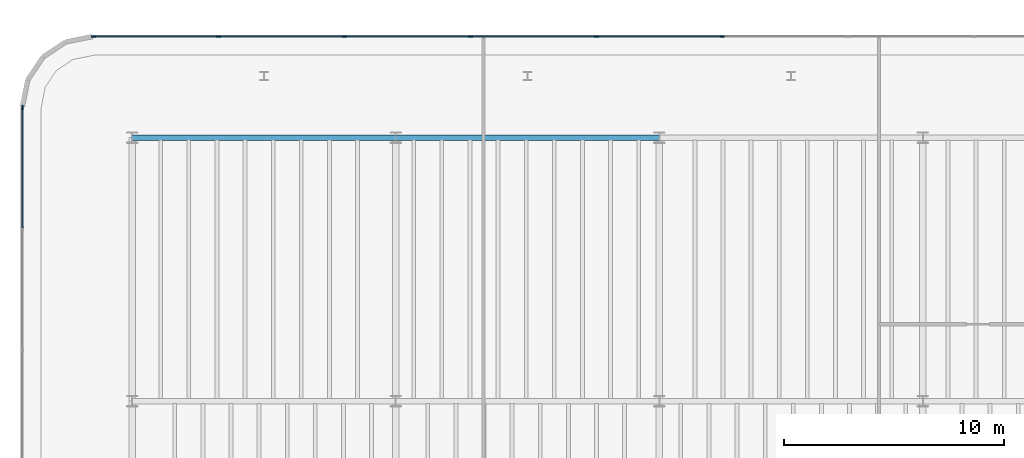
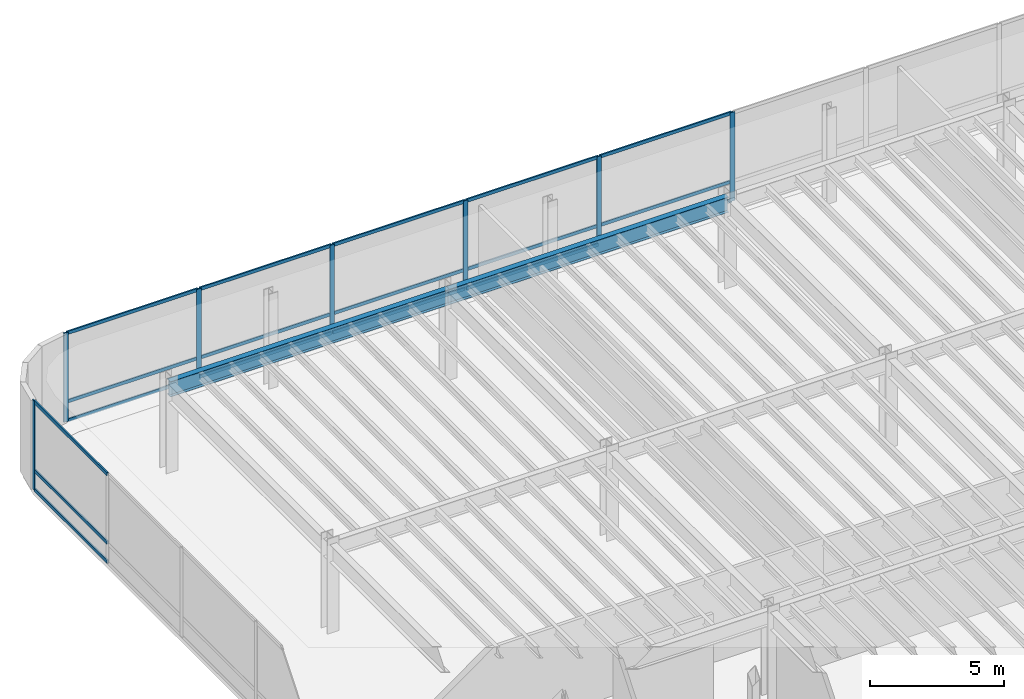
# One storey, part 9 of 19: 25 members, 2 beams, 2 elements without a shape of their own.
"""IFC4 building model written with IfcOpenShell, lengths in metres."""

from ifc_helpers import new_model, si_unit, direction, frame, origin, origin_2d, place, context, subcontext, project, spatial, rectangle, i_section, extrude, source, transform, mapped, material, layer, layer_set, material_profile, profile_set, type_object, element, aggregate, save


model = new_model("IFC4")

# Units and contexts
model_context = context("Model", 3, precision=1e-05, world=origin(), true_north=direction((0.0, 1.0)))
body_context = subcontext(model_context, "Body", "Model", "MODEL_VIEW")
ifc_project = project(units=[si_unit("LENGTHUNIT", "METRE"), si_unit("AREAUNIT", "SQUARE_METRE"), si_unit("VOLUMEUNIT", "CUBIC_METRE"), si_unit("PLANEANGLEUNIT", "RADIAN"), si_unit("MASSUNIT", "GRAM", prefix="KILO")], contexts=[model_context])

# Site, building, storey
site_placement = place(None, origin())
site = spatial("IfcSite", under=ifc_project, at=site_placement, CompositionType="ELEMENT")
building_placement = place(site_placement, origin())
building = spatial("IfcBuilding", under=site, at=building_placement, Name="Brelvock Crest Care Tower", CompositionType="ELEMENT")
storey_placement = place(building_placement, frame((0.0, 0.0, 14.0400390625)))
storey = spatial("IfcBuildingStorey", under=building, at=storey_placement, Name="L03", CompositionType="ELEMENT", Elevation=14.0400390625)

# Beams
ifc_material_1 = material(Name="Steel Grade 350", Category="steel")
ifc_material_profile_1 = material_profile(ifc_material_1, i_section(OverallWidth=0.25, OverallDepth=0.699951171875, WebThickness=0.011962890625, FlangeThickness=0.02001953125, at=origin_2d()), Name="700WB150")
ifc_profile_set_1 = profile_set([ifc_material_profile_1], Name="Steel Grade 350")
beam_type = type_object("IfcBeamType", Name="BM-G4", PredefinedType="BEAM", material=ifc_profile_set_1)
shared_shape_1 = source(origin(), body_context, "Body", "SweptSolid", [
    extrude(i_section(OverallWidth=0.25, OverallDepth=0.699951171875, WebThickness=0.011962890625, FlangeThickness=0.02001953125, at=origin_2d()), origin(), (0.0, 0.0, 1.0), 12.0),
])
for number, where, z_axis, x_axis, name in (
    (1, (12.0, 54.0, 3.68994140625), (1.0, 0.0, 0.0), (0.0, 1.0, 0.0), "BM-PODX-L03-54-12"),
    (2, (24.0, 54.0, 3.68994140625), (1.0, 0.0, 0.0), (0.0, 1.0, 0.0), "BM-PODX-L03-54-24"),
):
    element("IfcBeam", number, at=place(storey_placement, frame(where, z_axis=z_axis, x_axis=x_axis)), inside=storey, type_object=beam_type, Name=name, PredefinedType="BEAM", context=body_context, shape_type="MappedRepresentation", body=[
        mapped(shared_shape_1, transform((0.0, 0.0, 0.0), x_axis=(1.0, 0.0, 0.0), y_axis=(0.0, 1.0, 0.0), z_axis=(0.0, 0.0, 1.0), scale=1.0)),
    ])

# Curtain wall, member
ifc_material_2 = material(Name="Dark Glass Double Glazed Low-E", Category="glass")
ifc_layer = layer(ifc_material_2, 0.179931640625, Name="CWS-1")
ifc_layer_set = layer_set([ifc_layer], Name="Dark Glass Double Glazed Low-E")
curtain_wall_type = type_object("IfcCurtainWallType", Name="CWS-1", PredefinedType="NOTDEFINED", material=ifc_layer_set)
curtain_wall_1_placement = place(storey_placement, origin())
curtain_wall_1 = element("IfcCurtainWall", 3, at=curtain_wall_1_placement, inside=storey, type_object=curtain_wall_type, Name="L03 Curtain Wall E04", PredefinedType="NOTDEFINED")
ifc_material_3 = material(Name="Aluminium 6063-T6", Category="aluminium")
ifc_material_profile_2 = material_profile(ifc_material_3, rectangle(XDim=0.06494140625, YDim=0.199951171875, at=origin_2d()), Name="ALU65x200")
ifc_profile_set_2 = profile_set([ifc_material_profile_2], Name="Aluminium 6063-T6")
member_type_1 = type_object("IfcMemberType", Name="CWM-1", PredefinedType="MULLION", material=ifc_profile_set_2)
shared_shape_2 = source(origin(), body_context, "Body", "SweptSolid", [
    extrude(rectangle(XDim=0.06494140625, YDim=0.199951171875, at=origin_2d()), origin(), (0.0, 0.0, 1.0), 4.0400390625),
])
member_1_placement = place(storey_placement, frame((7.0, 55.367431640625, 0.0), z_axis=(0.0, 0.0, 1.0), x_axis=(-1.0, 0.0, 0.0)))
member_1 = element("IfcMember", 4, at=member_1_placement, type_object=member_type_1, Name="CW-1 mullion 10", PredefinedType="MULLION", context=body_context, shape_type="MappedRepresentation", body=[
    mapped(shared_shape_2, transform((0.0, 0.0, 0.0), x_axis=(1.0, 0.0, 0.0), y_axis=(0.0, 1.0, 0.0), z_axis=(0.0, 0.0, 1.0), scale=1.0)),
])

# Curtain wall, members
curtain_wall_2_placement = place(storey_placement, origin())
curtain_wall_2 = element("IfcCurtainWall", 5, at=curtain_wall_2_placement, inside=storey, type_object=curtain_wall_type, Name="L03 Curtain Wall E09", PredefinedType="NOTDEFINED")
member_2_placement = place(storey_placement, frame((10.232421875, 58.60009765625, 0.0), z_axis=(0.0, 0.0, 1.0), x_axis=(0.0, 1.0, 0.0)))
member_2 = element("IfcMember", 6, at=member_2_placement, type_object=member_type_1, Name="CW-1 mullion 1", PredefinedType="MULLION", context=body_context, shape_type="MappedRepresentation", body=[
    mapped(shared_shape_2, transform((0.0, 0.0, 0.0), x_axis=(1.0, 0.0, 0.0), y_axis=(0.0, 1.0, 0.0), z_axis=(0.0, 0.0, 1.0), scale=1.0)),
])
member_3_placement = place(storey_placement, frame((15.933349609375, 58.60009765625, 0.0), z_axis=(0.0, 0.0, 1.0), x_axis=(0.0, 1.0, 0.0)))
member_3 = element("IfcMember", 7, at=member_3_placement, type_object=member_type_1, Name="CW-1 mullion 2", PredefinedType="MULLION", context=body_context, shape_type="MappedRepresentation", body=[
    mapped(shared_shape_2, transform((0.0, 0.0, 0.0), x_axis=(1.0, 0.0, 0.0), y_axis=(0.0, 1.0, 0.0), z_axis=(0.0, 0.0, 1.0), scale=1.0)),
])
member_4_placement = place(storey_placement, frame((21.666748046875, 58.60009765625, 0.0), z_axis=(0.0, 0.0, 1.0), x_axis=(0.0, 1.0, 0.0)))
member_4 = element("IfcMember", 8, at=member_4_placement, type_object=member_type_1, Name="CW-1 mullion 3", PredefinedType="MULLION", context=body_context, shape_type="MappedRepresentation", body=[
    mapped(shared_shape_2, transform((0.0, 0.0, 0.0), x_axis=(1.0, 0.0, 0.0), y_axis=(0.0, 1.0, 0.0), z_axis=(0.0, 0.0, 1.0), scale=1.0)),
])
member_5_placement = place(storey_placement, frame((27.39990234375, 58.60009765625, 0.0), z_axis=(0.0, 0.0, 1.0), x_axis=(0.0, 1.0, 0.0)))
member_5 = element("IfcMember", 9, at=member_5_placement, type_object=member_type_1, Name="CW-1 mullion 4", PredefinedType="MULLION", context=body_context, shape_type="MappedRepresentation", body=[
    mapped(shared_shape_2, transform((0.0, 0.0, 0.0), x_axis=(1.0, 0.0, 0.0), y_axis=(0.0, 1.0, 0.0), z_axis=(0.0, 0.0, 1.0), scale=1.0)),
])
member_6_placement = place(storey_placement, frame((33.13330078125, 58.60009765625, 0.0), z_axis=(0.0, 0.0, 1.0), x_axis=(0.0, 1.0, 0.0)))
member_6 = element("IfcMember", 10, at=member_6_placement, type_object=member_type_1, Name="CW-1 mullion 5", PredefinedType="MULLION", context=body_context, shape_type="MappedRepresentation", body=[
    mapped(shared_shape_2, transform((0.0, 0.0, 0.0), x_axis=(1.0, 0.0, 0.0), y_axis=(0.0, 1.0, 0.0), z_axis=(0.0, 0.0, 1.0), scale=1.0)),
])
member_7_placement = place(storey_placement, frame((38.86669921875, 58.60009765625, 0.0), z_axis=(0.0, 0.0, 1.0), x_axis=(0.0, 1.0, 0.0)))
member_7 = element("IfcMember", 11, at=member_7_placement, type_object=member_type_1, Name="CW-1 mullion 6", PredefinedType="MULLION", context=body_context, shape_type="MappedRepresentation", body=[
    mapped(shared_shape_2, transform((0.0, 0.0, 0.0), x_axis=(1.0, 0.0, 0.0), y_axis=(0.0, 1.0, 0.0), z_axis=(0.0, 0.0, 1.0), scale=1.0)),
])

# Member
ifc_material_profile_3 = material_profile(ifc_material_3, rectangle(XDim=0.06494140625, YDim=0.14990234375, at=origin_2d()), Name="ALU65x150")
ifc_profile_set_3 = profile_set([ifc_material_profile_3], Name="Aluminium 6063-T6")
member_type_2 = type_object("IfcMemberType", Name="CWT-1", PredefinedType="USERDEFINED", material=ifc_profile_set_3)
shared_shape_3 = source(origin(), body_context, "Body", "SweptSolid", [
    extrude(rectangle(XDim=0.06494140625, YDim=0.14990234375, at=origin_2d()), origin(), (0.0, 0.0, 1.0), 5.435791015625),
])
member_8_placement = place(storey_placement, frame((7.0, 49.899169921875, 0.032470703125), z_axis=(0.0, 1.0, 0.0), x_axis=(-1.0, 0.0, 0.0)))
member_8 = element("IfcMember", 12, at=member_8_placement, type_object=member_type_2, Name="CW-1 transom 9.1", ObjectType="TRANSOM", PredefinedType="USERDEFINED", context=body_context, shape_type="MappedRepresentation", body=[
    mapped(shared_shape_3, transform((0.0, 0.0, 0.0), x_axis=(1.0, 0.0, 0.0), y_axis=(0.0, 1.0, 0.0), z_axis=(0.0, 0.0, 1.0), scale=1.0)),
])

member_9_placement = place(storey_placement, frame((7.0, 49.899169921875, 0.89990234375), z_axis=(0.0, 1.0, 0.0), x_axis=(-1.0, 0.0, 0.0)))
member_9 = element("IfcMember", 13, at=member_9_placement, type_object=member_type_2, Name="CW-1 transom 9.2", ObjectType="TRANSOM", PredefinedType="USERDEFINED", context=body_context, shape_type="MappedRepresentation", body=[
    mapped(shared_shape_3, transform((0.0, 0.0, 0.0), x_axis=(1.0, 0.0, 0.0), y_axis=(0.0, 1.0, 0.0), z_axis=(0.0, 0.0, 1.0), scale=1.0)),
])

member_10_placement = place(storey_placement, frame((7.0, 49.899169921875, 4.007568359375), z_axis=(0.0, 1.0, 0.0), x_axis=(-1.0, 0.0, 0.0)))
member_10 = element("IfcMember", 14, at=member_10_placement, type_object=member_type_2, Name="CW-1 transom 9.3", ObjectType="TRANSOM", PredefinedType="USERDEFINED", context=body_context, shape_type="MappedRepresentation", body=[
    mapped(shared_shape_3, transform((0.0, 0.0, 0.0), x_axis=(1.0, 0.0, 0.0), y_axis=(0.0, 1.0, 0.0), z_axis=(0.0, 0.0, 1.0), scale=1.0)),
])

aggregate(curtain_wall_1, [member_1, member_8, member_9, member_10])

shared_shape_4 = source(origin(), body_context, "Body", "SweptSolid", [
    extrude(rectangle(XDim=0.06494140625, YDim=0.14990234375, at=origin_2d()), origin(), (0.0, 0.0, 1.0), 5.635986328125),
])
member_11_placement = place(storey_placement, frame((10.264892578125, 58.60009765625, 0.032470703125), z_axis=(1.0, 0.0, 0.0), x_axis=(0.0, 1.0, 0.0)))
member_11 = element("IfcMember", 15, at=member_11_placement, type_object=member_type_2, Name="CW-1 transom 1.1", ObjectType="TRANSOM", PredefinedType="USERDEFINED", context=body_context, shape_type="MappedRepresentation", body=[
    mapped(shared_shape_4, transform((0.0, 0.0, 0.0), x_axis=(1.0, 0.0, 0.0), y_axis=(0.0, 1.0, 0.0), z_axis=(0.0, 0.0, 1.0), scale=1.0)),
])

member_12_placement = place(storey_placement, frame((10.264892578125, 58.60009765625, 0.89990234375), z_axis=(1.0, 0.0, 0.0), x_axis=(0.0, 1.0, 0.0)))
member_12 = element("IfcMember", 16, at=member_12_placement, type_object=member_type_2, Name="CW-1 transom 1.2", ObjectType="TRANSOM", PredefinedType="USERDEFINED", context=body_context, shape_type="MappedRepresentation", body=[
    mapped(shared_shape_4, transform((0.0, 0.0, 0.0), x_axis=(1.0, 0.0, 0.0), y_axis=(0.0, 1.0, 0.0), z_axis=(0.0, 0.0, 1.0), scale=1.0)),
])

member_13_placement = place(storey_placement, frame((10.264892578125, 58.60009765625, 4.007568359375), z_axis=(1.0, 0.0, 0.0), x_axis=(0.0, 1.0, 0.0)))
member_13 = element("IfcMember", 17, at=member_13_placement, type_object=member_type_2, Name="CW-1 transom 1.3", ObjectType="TRANSOM", PredefinedType="USERDEFINED", context=body_context, shape_type="MappedRepresentation", body=[
    mapped(shared_shape_4, transform((0.0, 0.0, 0.0), x_axis=(1.0, 0.0, 0.0), y_axis=(0.0, 1.0, 0.0), z_axis=(0.0, 0.0, 1.0), scale=1.0)),
])

shared_shape_5 = source(origin(), body_context, "Body", "SweptSolid", [
    extrude(rectangle(XDim=0.06494140625, YDim=0.14990234375, at=origin_2d()), origin(), (0.0, 0.0, 1.0), 5.66845703125),
])
member_14_placement = place(storey_placement, frame((15.9658203125, 58.60009765625, 0.032470703125), z_axis=(1.0, 0.0, 0.0), x_axis=(0.0, 1.0, 0.0)))
member_14 = element("IfcMember", 18, at=member_14_placement, type_object=member_type_2, Name="CW-1 transom 2.1", ObjectType="TRANSOM", PredefinedType="USERDEFINED", context=body_context, shape_type="MappedRepresentation", body=[
    mapped(shared_shape_5, transform((0.0, 0.0, 0.0), x_axis=(1.0, 0.0, 0.0), y_axis=(0.0, 1.0, 0.0), z_axis=(0.0, 0.0, 1.0), scale=1.0)),
])

member_15_placement = place(storey_placement, frame((15.9658203125, 58.60009765625, 0.89990234375), z_axis=(1.0, 0.0, 0.0), x_axis=(0.0, 1.0, 0.0)))
member_15 = element("IfcMember", 19, at=member_15_placement, type_object=member_type_2, Name="CW-1 transom 2.2", ObjectType="TRANSOM", PredefinedType="USERDEFINED", context=body_context, shape_type="MappedRepresentation", body=[
    mapped(shared_shape_5, transform((0.0, 0.0, 0.0), x_axis=(1.0, 0.0, 0.0), y_axis=(0.0, 1.0, 0.0), z_axis=(0.0, 0.0, 1.0), scale=1.0)),
])

member_16_placement = place(storey_placement, frame((15.9658203125, 58.60009765625, 4.007568359375), z_axis=(1.0, 0.0, 0.0), x_axis=(0.0, 1.0, 0.0)))
member_16 = element("IfcMember", 20, at=member_16_placement, type_object=member_type_2, Name="CW-1 transom 2.3", ObjectType="TRANSOM", PredefinedType="USERDEFINED", context=body_context, shape_type="MappedRepresentation", body=[
    mapped(shared_shape_5, transform((0.0, 0.0, 0.0), x_axis=(1.0, 0.0, 0.0), y_axis=(0.0, 1.0, 0.0), z_axis=(0.0, 0.0, 1.0), scale=1.0)),
])

member_17_placement = place(storey_placement, frame((33.165771484375, 58.60009765625, 0.032470703125), z_axis=(1.0, 0.0, 0.0), x_axis=(0.0, 1.0, 0.0)))
member_17 = element("IfcMember", 21, at=member_17_placement, type_object=member_type_2, Name="CW-1 transom 5.1", ObjectType="TRANSOM", PredefinedType="USERDEFINED", context=body_context, shape_type="MappedRepresentation", body=[
    mapped(shared_shape_5, transform((0.0, 0.0, 0.0), x_axis=(1.0, 0.0, 0.0), y_axis=(0.0, 1.0, 0.0), z_axis=(0.0, 0.0, 1.0), scale=1.0)),
])

member_18_placement = place(storey_placement, frame((33.165771484375, 58.60009765625, 0.89990234375), z_axis=(1.0, 0.0, 0.0), x_axis=(0.0, 1.0, 0.0)))
member_18 = element("IfcMember", 22, at=member_18_placement, type_object=member_type_2, Name="CW-1 transom 5.2", ObjectType="TRANSOM", PredefinedType="USERDEFINED", context=body_context, shape_type="MappedRepresentation", body=[
    mapped(shared_shape_5, transform((0.0, 0.0, 0.0), x_axis=(1.0, 0.0, 0.0), y_axis=(0.0, 1.0, 0.0), z_axis=(0.0, 0.0, 1.0), scale=1.0)),
])

member_19_placement = place(storey_placement, frame((33.165771484375, 58.60009765625, 4.007568359375), z_axis=(1.0, 0.0, 0.0), x_axis=(0.0, 1.0, 0.0)))
member_19 = element("IfcMember", 23, at=member_19_placement, type_object=member_type_2, Name="CW-1 transom 5.3", ObjectType="TRANSOM", PredefinedType="USERDEFINED", context=body_context, shape_type="MappedRepresentation", body=[
    mapped(shared_shape_5, transform((0.0, 0.0, 0.0), x_axis=(1.0, 0.0, 0.0), y_axis=(0.0, 1.0, 0.0), z_axis=(0.0, 0.0, 1.0), scale=1.0)),
])

shared_shape_6 = source(origin(), body_context, "Body", "SweptSolid", [
    extrude(rectangle(XDim=0.06494140625, YDim=0.14990234375, at=origin_2d()), origin(), (0.0, 0.0, 1.0), 5.668212890625),
])
member_20_placement = place(storey_placement, frame((21.69921875, 58.60009765625, 0.032470703125), z_axis=(1.0, 0.0, 0.0), x_axis=(0.0, 1.0, 0.0)))
member_20 = element("IfcMember", 24, at=member_20_placement, type_object=member_type_2, Name="CW-1 transom 3.1", ObjectType="TRANSOM", PredefinedType="USERDEFINED", context=body_context, shape_type="MappedRepresentation", body=[
    mapped(shared_shape_6, transform((0.0, 0.0, 0.0), x_axis=(1.0, 0.0, 0.0), y_axis=(0.0, 1.0, 0.0), z_axis=(0.0, 0.0, 1.0), scale=1.0)),
])

member_21_placement = place(storey_placement, frame((21.69921875, 58.60009765625, 0.89990234375), z_axis=(1.0, 0.0, 0.0), x_axis=(0.0, 1.0, 0.0)))
member_21 = element("IfcMember", 25, at=member_21_placement, type_object=member_type_2, Name="CW-1 transom 3.2", ObjectType="TRANSOM", PredefinedType="USERDEFINED", context=body_context, shape_type="MappedRepresentation", body=[
    mapped(shared_shape_6, transform((0.0, 0.0, 0.0), x_axis=(1.0, 0.0, 0.0), y_axis=(0.0, 1.0, 0.0), z_axis=(0.0, 0.0, 1.0), scale=1.0)),
])

member_22_placement = place(storey_placement, frame((21.69921875, 58.60009765625, 4.007568359375), z_axis=(1.0, 0.0, 0.0), x_axis=(0.0, 1.0, 0.0)))
member_22 = element("IfcMember", 26, at=member_22_placement, type_object=member_type_2, Name="CW-1 transom 3.3", ObjectType="TRANSOM", PredefinedType="USERDEFINED", context=body_context, shape_type="MappedRepresentation", body=[
    mapped(shared_shape_6, transform((0.0, 0.0, 0.0), x_axis=(1.0, 0.0, 0.0), y_axis=(0.0, 1.0, 0.0), z_axis=(0.0, 0.0, 1.0), scale=1.0)),
])

member_23_placement = place(storey_placement, frame((27.4326171875, 58.60009765625, 0.032470703125), z_axis=(1.0, 0.0, 0.0), x_axis=(0.0, 1.0, 0.0)))
member_23 = element("IfcMember", 27, at=member_23_placement, type_object=member_type_2, Name="CW-1 transom 4.1", ObjectType="TRANSOM", PredefinedType="USERDEFINED", context=body_context, shape_type="MappedRepresentation", body=[
    mapped(shared_shape_6, transform((0.0, 0.0, 0.0), x_axis=(1.0, 0.0, 0.0), y_axis=(0.0, 1.0, 0.0), z_axis=(0.0, 0.0, 1.0), scale=1.0)),
])

member_24_placement = place(storey_placement, frame((27.4326171875, 58.60009765625, 0.89990234375), z_axis=(1.0, 0.0, 0.0), x_axis=(0.0, 1.0, 0.0)))
member_24 = element("IfcMember", 28, at=member_24_placement, type_object=member_type_2, Name="CW-1 transom 4.2", ObjectType="TRANSOM", PredefinedType="USERDEFINED", context=body_context, shape_type="MappedRepresentation", body=[
    mapped(shared_shape_6, transform((0.0, 0.0, 0.0), x_axis=(1.0, 0.0, 0.0), y_axis=(0.0, 1.0, 0.0), z_axis=(0.0, 0.0, 1.0), scale=1.0)),
])

member_25_placement = place(storey_placement, frame((27.4326171875, 58.60009765625, 4.007568359375), z_axis=(1.0, 0.0, 0.0), x_axis=(0.0, 1.0, 0.0)))
member_25 = element("IfcMember", 29, at=member_25_placement, type_object=member_type_2, Name="CW-1 transom 4.3", ObjectType="TRANSOM", PredefinedType="USERDEFINED", context=body_context, shape_type="MappedRepresentation", body=[
    mapped(shared_shape_6, transform((0.0, 0.0, 0.0), x_axis=(1.0, 0.0, 0.0), y_axis=(0.0, 1.0, 0.0), z_axis=(0.0, 0.0, 1.0), scale=1.0)),
])

aggregate(curtain_wall_2, [member_2, member_3, member_4, member_5, member_6, member_7, member_11, member_12, member_13, member_14, member_15, member_16, member_20, member_21, member_22, member_23, member_24, member_25, member_17, member_18, member_19])

save(model, "model.ifc")
